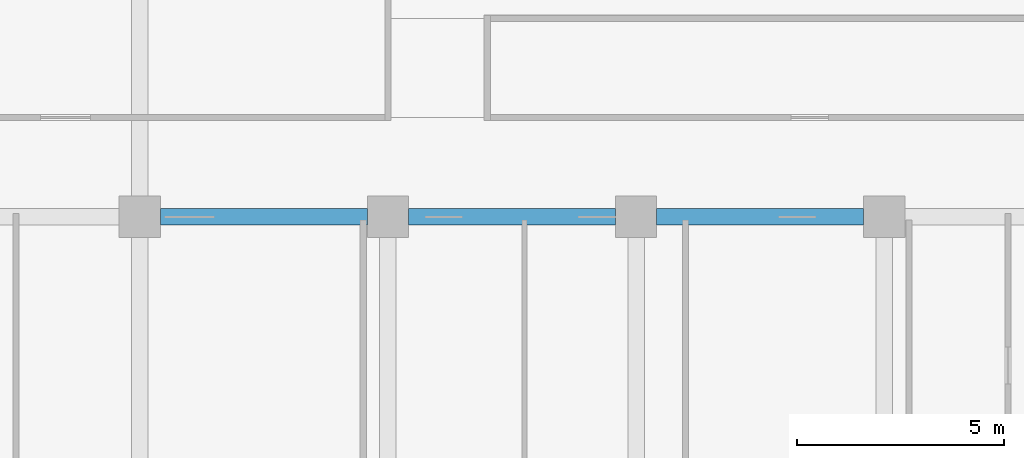
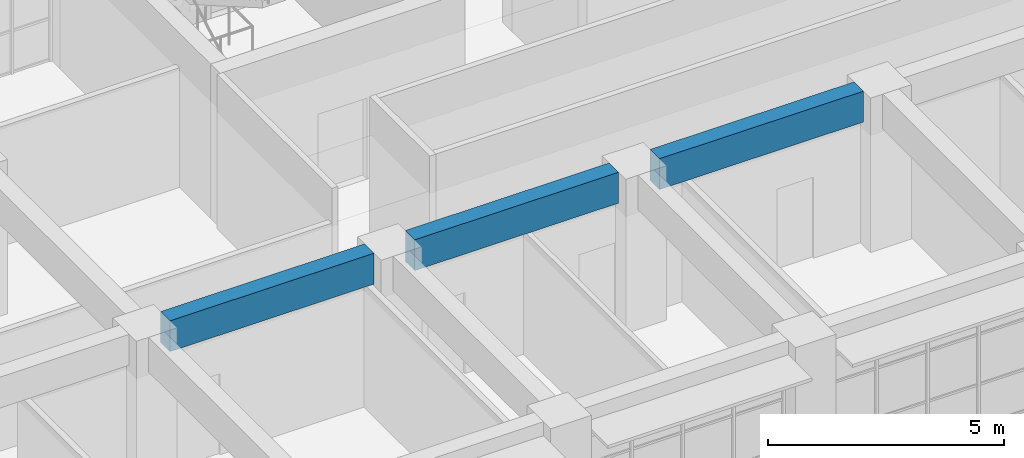
# One storey, part 49 of 101: 3 beams.
"""IFC4 building model written with IfcOpenShell, lengths in metres."""

from ifc_helpers import new_model, si_unit, direction, frame, origin, origin_2d, place, context, subcontext, project, spatial, rectangle, extrude, material, material_profile, profile_set, type_object, element, save


model = new_model("IFC4")

# Units and contexts
model_context = context("Model", 3, precision=1e-05, world=origin(), true_north=direction((0.0, 1.0)))
body_context = subcontext(model_context, "Body", "Model", "MODEL_VIEW")
ifc_project = project(units=[si_unit("LENGTHUNIT", "METRE"), si_unit("AREAUNIT", "SQUARE_METRE"), si_unit("VOLUMEUNIT", "CUBIC_METRE"), si_unit("PLANEANGLEUNIT", "RADIAN"), si_unit("MASSUNIT", "GRAM", prefix="KILO")], contexts=[model_context])

# Site, building, storey
site_placement = place(None, origin())
site = spatial("IfcSite", under=ifc_project, at=site_placement, CompositionType="ELEMENT")
building_placement = place(site_placement, origin())
building = spatial("IfcBuilding", under=site, at=building_placement, Name="Laocheng Heights Fire and Rescue Headquarters", CompositionType="ELEMENT")
storey_placement = place(building_placement, frame((0.0, 0.0, 8.39990234375)))
storey = spatial("IfcBuildingStorey", under=building, at=storey_placement, Name="L02", CompositionType="ELEMENT", Elevation=8.39990234375)

# Beams
ifc_material = material(Name="Concrete C40", Category="concrete")
ifc_material_profile = material_profile(ifc_material, rectangle(XDim=0.39990234375, YDim=0.800048828125, at=origin_2d()), Name="RC BEAM 400x800 HQ")
ifc_profile_set = profile_set([ifc_material_profile], Name="Concrete C40")
beam_type = type_object("IfcBeamType", Name="RC BEAM 400x800 HQ", PredefinedType="BEAM", material=ifc_profile_set)
for number, where, z_axis, x_axis, name in (
    (1, (60.5, 57.60009765625, 3.60009765625), (1.0, 0.0, 0.0), (0.0, 1.0, 0.0), "HQ beam L02"),
    (2, (66.5, 57.60009765625, 3.60009765625), (1.0, 0.0, 0.0), (0.0, 1.0, 0.0), "HQ beam L02"),
    (3, (72.5, 57.60009765625, 3.60009765625), (1.0, 0.0, 0.0), (0.0, 1.0, 0.0), "HQ beam L02"),
):
    element("IfcBeam", number, at=place(storey_placement, frame(where, z_axis=z_axis, x_axis=x_axis)), inside=storey, type_object=beam_type, Name=name, PredefinedType="BEAM", context=body_context, shape_type="SweptSolid", body=[
        extrude(rectangle(XDim=0.39990234375, YDim=0.800048828125, at=origin_2d()), origin(), (0.0, 0.0, 1.0), 5.0),
    ])

save(model, "model.ifc")
